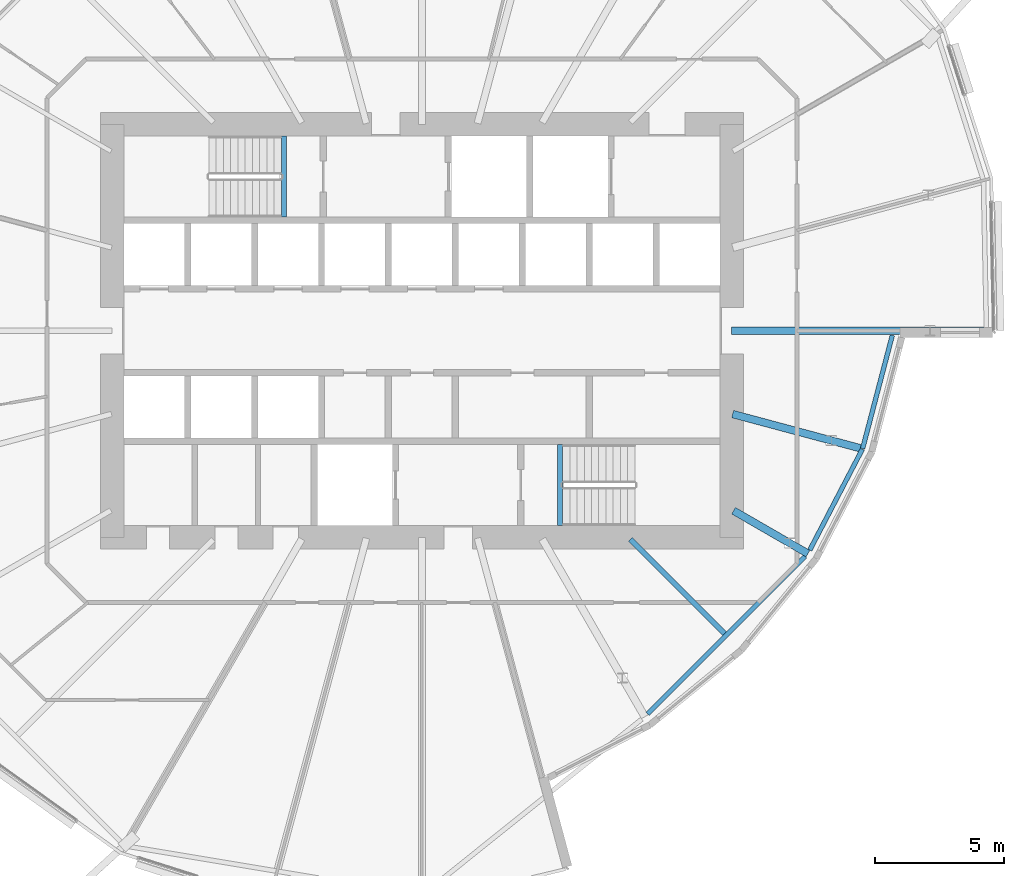
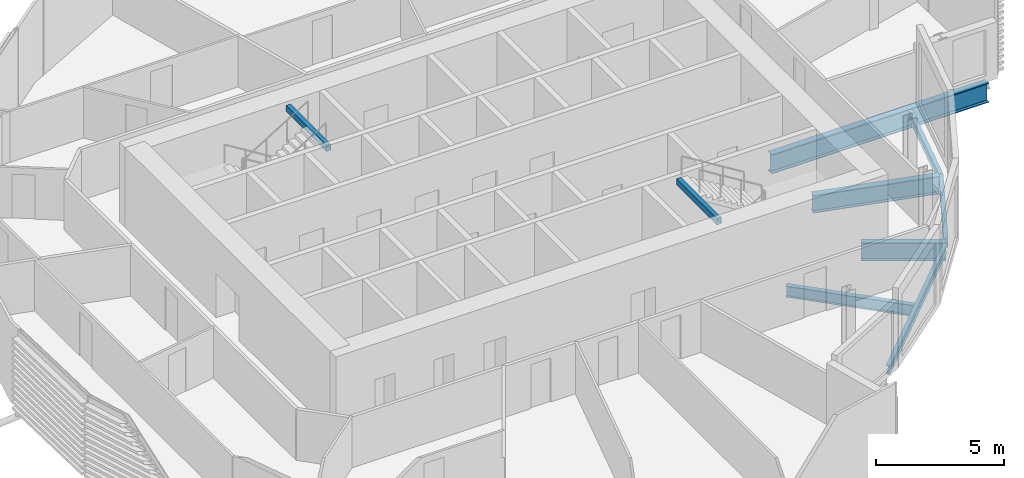
# One storey, part 14 of 38: 9 beams.
"""IFC4 building model written with IfcOpenShell, lengths in metres."""

from ifc_helpers import new_model, si_unit, direction, frame, origin, origin_2d, place, context, subcontext, project, spatial, hollow_rectangle, i_section, extrude, material, material_profile, profile_set, type_object, element, save


model = new_model("IFC4")

# Units and contexts
model_context = context("Model", 3, precision=1e-05, world=origin(), true_north=direction((0.0, 1.0)))
body_context = subcontext(model_context, "Body", "Model", "MODEL_VIEW")
ifc_project = project(units=[si_unit("LENGTHUNIT", "METRE"), si_unit("AREAUNIT", "SQUARE_METRE"), si_unit("VOLUMEUNIT", "CUBIC_METRE"), si_unit("PLANEANGLEUNIT", "RADIAN"), si_unit("MASSUNIT", "GRAM", prefix="KILO")], contexts=[model_context])

# Site, building, storey
site_placement = place(None, origin())
site = spatial("IfcSite", under=ifc_project, at=site_placement, CompositionType="ELEMENT")
building_placement = place(site_placement, origin())
building = spatial("IfcBuilding", under=site, at=building_placement, Name="Rimbun Link Towers", CompositionType="ELEMENT")
storey_placement = place(building_placement, frame((0.0, 0.0, 68.0)))
storey = spatial("IfcBuildingStorey", under=building, at=storey_placement, Name="L16", CompositionType="ELEMENT", Elevation=68.0)

# Beams
ifc_material_1 = material(Name="Steel S355J2", Category="steel")
ifc_material_profile_1 = material_profile(ifc_material_1, hollow_rectangle(XDim=0.199951171875, YDim=0.300048828125, WallThickness=0.011962890625, at=origin_2d()), Name="BOX 300x200x12")
ifc_profile_set_1 = profile_set([ifc_material_profile_1], Name="Steel S355J2")
beam_type_1 = type_object("IfcBeamType", Name="Stair trimmer beam BOX 300x200x12", PredefinedType="BEAM", material=ifc_profile_set_1)
for number, where, z_axis, x_axis, name in (
    (1, (26.39990234375, 7.550048828125, 3.489990234375), (0.0, -1.0, 0.0), (1.0, 0.0, 0.0), "L16 ST3 stair beam 1"),
    (2, (37.10009765625, -7.550048828125, 3.489990234375), (0.0, 1.0, 0.0), (-1.0, 0.0, 0.0), "L16 ST4 stair beam 1"),
):
    element("IfcBeam", number, at=place(storey_placement, frame(where, z_axis=z_axis, x_axis=x_axis)), inside=storey, type_object=beam_type_1, Name=name, PredefinedType="BEAM", context=body_context, shape_type="SweptSolid", body=[
        extrude(hollow_rectangle(XDim=0.199951171875, YDim=0.300048828125, WallThickness=0.011962890625, at=origin_2d()), origin(), (0.0, 0.0, 1.0), 3.150146484375),
    ])
ifc_material_2 = material(Name="Steel S355J2", Category="steel")
ifc_material_profile_2 = material_profile(ifc_material_2, i_section(OverallWidth=0.177978515625, OverallDepth=0.406494140625, WebThickness=0.0078125, FlangeThickness=0.0126953125, at=origin_2d()), Name="UB 406x178x60")
ifc_profile_set_2 = profile_set([ifc_material_profile_2], Name="Steel S355J2")
beam_type_2 = type_object("IfcBeamType", Name="UB 406x178x60", PredefinedType="BEAM", material=ifc_profile_set_2)
beam_1_placement = place(storey_placement, frame((40.49169921875, -14.846435546875, -0.36328125), z_axis=(0.707106781187, 0.707106781187, 0.0), x_axis=(-0.707106781187, 0.707106781187, 0.0)))
element("IfcBeam", 3, at=beam_1_placement, inside=storey, type_object=beam_type_2, Name="Edge beam T2 L16 17-19", PredefinedType="BEAM", context=body_context, shape_type="SweptSolid", body=[
    extrude(i_section(OverallWidth=0.177978515625, OverallDepth=0.406494140625, WebThickness=0.0078125, FlangeThickness=0.0126953125, at=origin_2d()), origin(), (0.0, 0.0, 1.0), 8.63330078125),
])
beam_2_placement = place(storey_placement, frame((46.774169921875, -8.499755859375, -0.36328125), z_axis=(0.462428085341, 0.886656791486, 0.0), x_axis=(-0.886656791486, 0.462428085341, 0.0)))
element("IfcBeam", 4, at=beam_2_placement, inside=storey, type_object=beam_type_2, Name="Edge beam T2 L16 19 recess", PredefinedType="BEAM", context=body_context, shape_type="SweptSolid", body=[
    extrude(i_section(OverallWidth=0.177978515625, OverallDepth=0.406494140625, WebThickness=0.0078125, FlangeThickness=0.0126953125, at=origin_2d()), origin(), (0.0, 0.0, 1.0), 4.416259765625),
])
beam_3_placement = place(storey_placement, frame((48.824462890625, -4.563720703125, -0.36328125), z_axis=(0.253526095329, 0.967328547592, 0.0), x_axis=(-0.967328547592, 0.253526095329, 0.0)))
element("IfcBeam", 5, at=beam_3_placement, inside=storey, type_object=beam_type_2, Name="Edge beam T2 L16 20 recess", PredefinedType="BEAM", context=body_context, shape_type="SweptSolid", body=[
    extrude(i_section(OverallWidth=0.177978515625, OverallDepth=0.406494140625, WebThickness=0.0078125, FlangeThickness=0.0126953125, at=origin_2d()), origin(), (0.0, 0.0, 1.0), 4.53564453125),
])
ifc_material_3 = material(Name="Steel S355J2", Category="steel")
ifc_material_profile_3 = material_profile(ifc_material_3, i_section(OverallWidth=0.209228515625, OverallDepth=0.533203125, WebThickness=0.010009765625, FlangeThickness=0.015625, at=origin_2d()), Name="UB 533x210x92")
ifc_profile_set_3 = profile_set([ifc_material_profile_3], Name="Steel S355J2")
beam_type_3 = type_object("IfcBeamType", Name="UB 533x210x92", PredefinedType="BEAM", material=ifc_profile_set_3)
beam_4_placement = place(storey_placement, frame((39.82470703125, -8.07470703125, -0.426513671875), z_axis=(0.707106781187, -0.707106781187, 0.0), x_axis=(0.707106781187, 0.707106781187, 0.0)))
element("IfcBeam", 6, at=beam_4_placement, inside=storey, type_object=beam_type_3, Name="Radial beam T2 L16 18", PredefinedType="BEAM", context=body_context, shape_type="SweptSolid", body=[
    extrude(i_section(OverallWidth=0.209228515625, OverallDepth=0.533203125, WebThickness=0.010009765625, FlangeThickness=0.015625, at=origin_2d()), origin(), (0.0, 0.0, 1.0), 5.169921875),
])
ifc_material_4 = material(Name="Steel S355J2", Category="steel")
ifc_material_profile_4 = material_profile(ifc_material_4, i_section(OverallWidth=0.29248046875, OverallDepth=0.8408203125, WebThickness=0.0126953125, FlangeThickness=0.021728515625, at=origin_2d()), Name="UB 838x292x194")
ifc_profile_set_4 = profile_set([ifc_material_profile_4], Name="Steel S355J2")
beam_type_4 = type_object("IfcBeamType", Name="UB 838x292x194", PredefinedType="BEAM", material=ifc_profile_set_4)
beam_5_placement = place(storey_placement, frame((43.823974609375, -6.970947265625, -0.580322265625), z_axis=(0.866025439566, -0.499999938025, 0.0), x_axis=(0.499999938025, 0.866025439566, 0.0)))
element("IfcBeam", 7, at=beam_5_placement, inside=storey, type_object=beam_type_4, Name="Radial beam T2 L16 19", PredefinedType="BEAM", context=body_context, shape_type="SweptSolid", body=[
    extrude(i_section(OverallWidth=0.29248046875, OverallDepth=0.8408203125, WebThickness=0.0126953125, FlangeThickness=0.021728515625, at=origin_2d()), origin(), (0.0, 0.0, 1.0), 3.32568359375),
])
beam_6_placement = place(storey_placement, frame((43.788818359375, -3.225830078125, -0.580322265625), z_axis=(0.965935920163, -0.258781371315, 0.0), x_axis=(0.258781371315, 0.965935920163, 0.0)))
element("IfcBeam", 8, at=beam_6_placement, inside=storey, type_object=beam_type_4, Name="Radial beam T2 L16 20", PredefinedType="BEAM", context=body_context, shape_type="SweptSolid", body=[
    extrude(i_section(OverallWidth=0.29248046875, OverallDepth=0.8408203125, WebThickness=0.0126953125, FlangeThickness=0.021728515625, at=origin_2d()), origin(), (0.0, 0.0, 1.0), 5.119873046875),
])
ifc_material_5 = material(Name="Steel S355J2", Category="steel")
ifc_material_profile_5 = material_profile(ifc_material_5, i_section(OverallWidth=0.305419921875, OverallDepth=0.91845703125, WebThickness=0.017333984375, FlangeThickness=0.02783203125, at=origin_2d()), Name="UB 914x305x253")
ifc_profile_set_5 = profile_set([ifc_material_profile_5], Name="Steel S355J2")
beam_type_5 = type_object("IfcBeamType", Name="UB 914x305x253", PredefinedType="BEAM", material=ifc_profile_set_5)
beam_7_placement = place(storey_placement, frame((43.7509765625, 0.0, -0.619140625), z_axis=(1.0, 0.0, 0.0), x_axis=(0.0, 1.0, 0.0)))
element("IfcBeam", 9, at=beam_7_placement, inside=storey, type_object=beam_type_5, Name="Radial beam T2 L16 21", PredefinedType="BEAM", context=body_context, shape_type="SweptSolid", body=[
    extrude(i_section(OverallWidth=0.305419921875, OverallDepth=0.91845703125, WebThickness=0.017333984375, FlangeThickness=0.02783203125, at=origin_2d()), origin(), (0.0, 0.0, 1.0), 9.781005859375),
])

save(model, "model.ifc")
